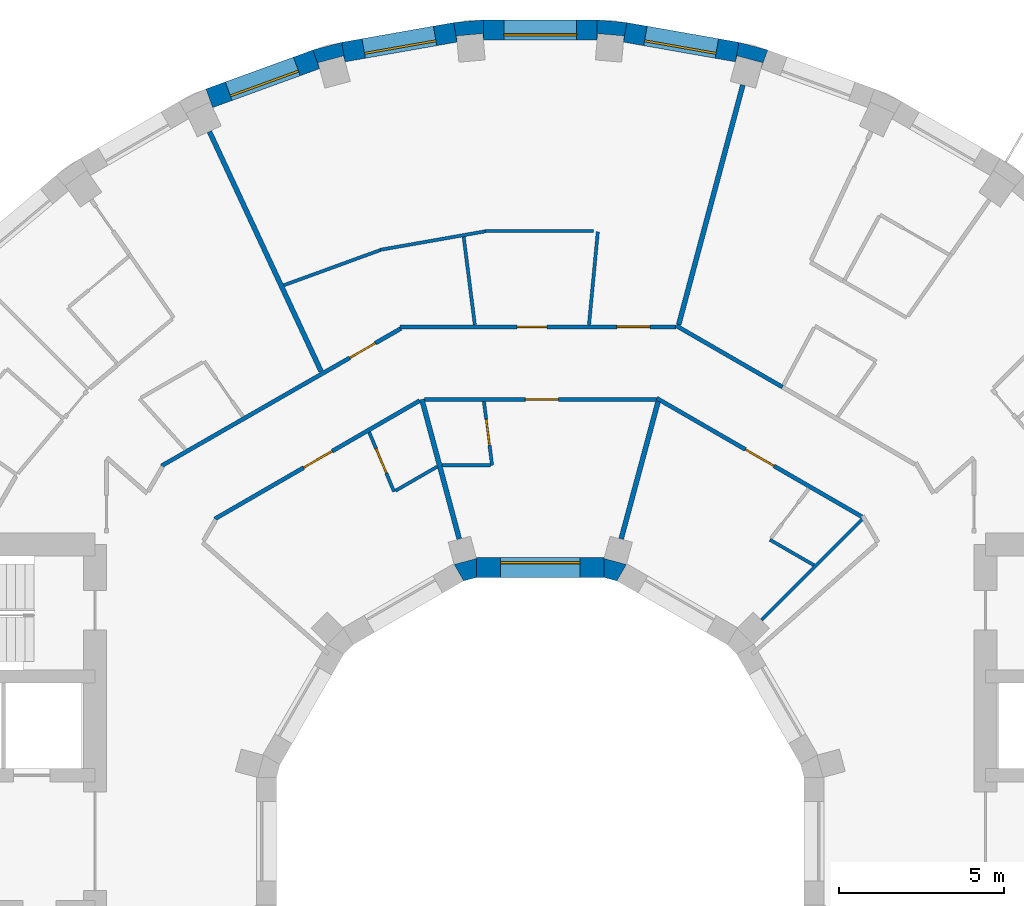
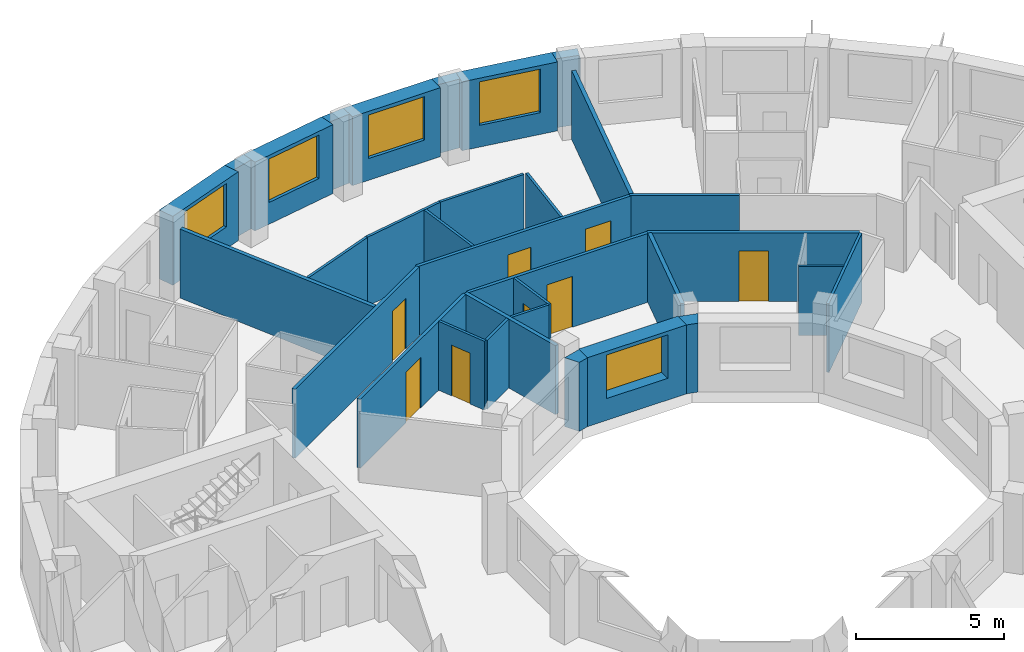
# One storey, part 8 of 11: 32 walls, 8 doors, 5 windows, 13 openings.
"""IFC4 building model written with IfcOpenShell, lengths in metres."""

from ifc_helpers import new_model, si_unit, direction, frame, frame_2d, origin, place, context, subcontext, project, spatial, polyline, rectangle, outline, extrude, material, layer, layer_set, type_object, element, fill, save


model = new_model("IFC4")

# Units and contexts
model_context = context("Model", 3, precision=1e-05, world=origin(), true_north=direction((0.0, 1.0)))
body_context = subcontext(model_context, "Body", "Model", "MODEL_VIEW")
ifc_project = project(units=[si_unit("LENGTHUNIT", "METRE"), si_unit("AREAUNIT", "SQUARE_METRE"), si_unit("VOLUMEUNIT", "CUBIC_METRE"), si_unit("PLANEANGLEUNIT", "RADIAN"), si_unit("MASSUNIT", "GRAM", prefix="KILO")], contexts=[model_context])

# Site, building, storey
site_placement = place(None, origin())
site = spatial("IfcSite", under=ifc_project, at=site_placement, CompositionType="ELEMENT")
building_placement = place(site_placement, origin())
building = spatial("IfcBuilding", under=site, at=building_placement, Name="Saqina Gate Tower", CompositionType="ELEMENT")
storey_placement = place(building_placement, frame((0.0, 0.0, 187.199951171875)))
storey = spatial("IfcBuildingStorey", under=building, at=storey_placement, Name="L53", CompositionType="ELEMENT", Elevation=187.199951171875)

# Walls
ifc_material_1 = material(Name="Brick masonry (buff)", Category="masonry")
wall_type_1 = type_object("IfcWallType", Name="BRICK PIER COPING BUFF", PredefinedType="SOLIDWALL", material=ifc_material_1)
wall_1_placement = place(storey_placement, origin())
element("IfcWall", 1, at=wall_1_placement, inside=storey, type_object=wall_type_1, Name="Pier cap L53 column 8", PredefinedType="SOLIDWALL", context=body_context, shape_type="SweptSolid", body=[
    extrude(outline(polyline([(6.0234375, 24.22705078125), (5.919189453125, 23.635986328125), (5.967529296875, 23.81689453125), (6.740478515625, 23.610107421875), (6.69189453125, 23.428955078125), (6.897216796875, 23.992919921875), (6.0234375, 24.22705078125)])), origin(), (0.0, 0.0, 1.0), 2.85009765625),
])
wall_2_placement = place(storey_placement, origin())
element("IfcWall", 2, at=wall_2_placement, inside=storey, type_object=wall_type_1, Name="Pier cap L53 column 9", PredefinedType="SOLIDWALL", context=body_context, shape_type="SweptSolid", body=[
    extrude(outline(polyline([(2.6259765625, 24.825927734375), (1.724853515625, 24.90478515625), (1.724853515625, 24.304931640625), (1.7412109375, 24.491455078125), (2.5380859375, 24.421630859375), (2.521728515625, 24.235107421875), (2.6259765625, 24.825927734375)])), origin(), (0.0, 0.0, 1.0), 2.85009765625),
])
wall_3_placement = place(storey_placement, origin())
element("IfcWall", 3, at=wall_3_placement, inside=storey, type_object=wall_type_1, Name="Pier cap L53 column 10", PredefinedType="SOLIDWALL", context=body_context, shape_type="SweptSolid", body=[
    extrude(outline(polyline([(-1.724853515625, 24.90478515625), (-2.6259765625, 24.825927734375), (-2.521728515625, 24.235107421875), (-2.5380859375, 24.421630859375), (-1.7412109375, 24.491455078125), (-1.724853515625, 24.304931640625), (-1.724853515625, 24.90478515625)])), origin(), (0.0, 0.0, 1.0), 2.85009765625),
])
wall_4_placement = place(storey_placement, origin())
element("IfcWall", 4, at=wall_4_placement, inside=storey, type_object=wall_type_1, Name="Pier cap L53 column 11", PredefinedType="SOLIDWALL", context=body_context, shape_type="SweptSolid", body=[
    extrude(outline(polyline([(-6.0234375, 24.22705078125), (-6.897216796875, 23.992919921875), (-6.69189453125, 23.428955078125), (-6.740478515625, 23.610107421875), (-5.967529296875, 23.81689453125), (-5.919189453125, 23.635986328125), (-6.0234375, 24.22705078125)])), origin(), (0.0, 0.0, 1.0), 2.85009765625),
])

# Wall, opening, window
ifc_material_2 = material(Name="Brick masonry (buff)", Category="masonry")
ifc_layer_1 = layer(ifc_material_2, 0.60009765625)
ifc_layer_set_1 = layer_set([ifc_layer_1], Name="FW-BRICK-BUFF")
wall_type_2 = type_object("IfcWallType", Name="FW-BRICK-BUFF", PredefinedType="SOLIDWALL", material=ifc_layer_set_1)
wall_5_placement = place(storey_placement, frame((5.97119140625, 23.931640625, 0.0), z_axis=(0.0, 0.0, 1.0), x_axis=(-0.984814892183, 0.173607684551, 0.0)))
wall_5 = element("IfcWall", 5, at=wall_5_placement, inside=storey, type_object=wall_type_2, Name="Facade wall L53 facet 8", PredefinedType="SOLIDWALL", context=body_context, shape_type="SweptSolid", body=[
    extrude(rectangle(XDim=3.44970703125, YDim=0.60009765625, at=frame_2d((1.724853515625, 0.0))), origin(), (0.0, 0.0, 1.0), 2.85009765625),
])
opening_1_placement = place(wall_5_placement, frame((0.625, 0.0, 0.89990234375)))
opening_1 = element("IfcOpeningElement", 6, at=opening_1_placement, cuts=wall_5, Name="Opening G15-W05", PredefinedType="OPENING", context=body_context, shape_type="SweptSolid", body=[
    extrude(rectangle(XDim=2.199951171875, YDim=1.800048828125, at=frame_2d((1.10009765625, 0.89990234375))), frame((0.0, 0.31201171875, 0.0), z_axis=(0.0, -1.0, 0.0), x_axis=(1.0, 0.0, 0.0)), (0.0, 0.0, 1.0), 0.6240234375),
])
ifc_material_3 = material(Name="Aluminium glazing", Category="aluminium")
window_type_1 = type_object("IfcWindowType", Name="WN-C", PartitioningType="SINGLE_PANEL", PredefinedType="WINDOW", material=ifc_material_3)
window_1_placement = place(opening_1_placement, origin())
window_1 = element("IfcWindow", 7, at=window_1_placement, inside=storey, type_object=window_type_1, Name="Window L53 facet 8", OverallHeight=1.800048828125, OverallWidth=2.199951171875, PartitioningType="SINGLE_PANEL", PredefinedType="WINDOW", context=body_context, shape_type="SweptSolid", body=[
    extrude(rectangle(XDim=2.199951171875, YDim=1.800048828125, at=frame_2d((1.10009765625, 0.89990234375))), frame((0.0, 0.179931640625, 0.0), z_axis=(0.0, -1.0, 0.0), x_axis=(1.0, 0.0, 0.0)), (0.0, 0.0, 1.0), 0.06005859375),
])
fill(opening_1, window_1)

wall_6_placement = place(storey_placement, frame((1.724853515625, 24.60498046875, 0.0), z_axis=(0.0, 0.0, 1.0), x_axis=(-1.0, 0.0, 0.0)))
wall_6 = element("IfcWall", 8, at=wall_6_placement, inside=storey, type_object=wall_type_2, Name="Facade wall L53 facet 9", PredefinedType="SOLIDWALL", context=body_context, shape_type="SweptSolid", body=[
    extrude(rectangle(XDim=3.44970703125, YDim=0.60009765625, at=frame_2d((1.724853515625, 0.0))), origin(), (0.0, 0.0, 1.0), 2.85009765625),
])
opening_2_placement = place(wall_6_placement, frame((0.625, 0.0, 0.89990234375)))
opening_2 = element("IfcOpeningElement", 9, at=opening_2_placement, cuts=wall_6, Name="Opening G15-W06", PredefinedType="OPENING", context=body_context, shape_type="SweptSolid", body=[
    extrude(rectangle(XDim=2.199951171875, YDim=1.800048828125, at=frame_2d((1.10009765625, 0.89990234375))), frame((0.0, 0.31201171875, 0.0), z_axis=(0.0, -1.0, 0.0), x_axis=(1.0, 0.0, 0.0)), (0.0, 0.0, 1.0), 0.6240234375),
])
window_2_placement = place(opening_2_placement, origin())
window_2 = element("IfcWindow", 10, at=window_2_placement, inside=storey, type_object=window_type_1, Name="Window L53 facet 9", OverallHeight=1.800048828125, OverallWidth=2.199951171875, PartitioningType="SINGLE_PANEL", PredefinedType="WINDOW", context=body_context, shape_type="SweptSolid", body=[
    extrude(rectangle(XDim=2.199951171875, YDim=1.800048828125, at=frame_2d((1.10009765625, 0.89990234375))), frame((0.0, 0.179931640625, 0.0), z_axis=(0.0, -1.0, 0.0), x_axis=(1.0, 0.0, 0.0)), (0.0, 0.0, 1.0), 0.06005859375),
])
fill(opening_2, window_2)

wall_7_placement = place(storey_placement, frame((-2.573974609375, 24.530517578125, 0.0), z_axis=(0.0, 0.0, 1.0), x_axis=(-0.984814892183, -0.173607684551, 0.0)))
wall_7 = element("IfcWall", 11, at=wall_7_placement, inside=storey, type_object=wall_type_2, Name="Facade wall L53 facet 10", PredefinedType="SOLIDWALL", context=body_context, shape_type="SweptSolid", body=[
    extrude(rectangle(XDim=3.44970703125, YDim=0.60009765625, at=frame_2d((1.724853515625, 0.0))), origin(), (0.0, 0.0, 1.0), 2.85009765625),
])
opening_3_placement = place(wall_7_placement, frame((0.625, 0.0, 0.89990234375)))
opening_3 = element("IfcOpeningElement", 12, at=opening_3_placement, cuts=wall_7, Name="Opening G15-W07", PredefinedType="OPENING", context=body_context, shape_type="SweptSolid", body=[
    extrude(rectangle(XDim=2.199951171875, YDim=1.800048828125, at=frame_2d((1.10009765625, 0.89990234375))), frame((0.0, 0.31201171875, 0.0), z_axis=(0.0, -1.0, 0.0), x_axis=(1.0, 0.0, 0.0)), (0.0, 0.0, 1.0), 0.6240234375),
])
window_3_placement = place(opening_3_placement, origin())
window_3 = element("IfcWindow", 13, at=window_3_placement, inside=storey, type_object=window_type_1, Name="Window L53 facet 10", OverallHeight=1.800048828125, OverallWidth=2.199951171875, PartitioningType="SINGLE_PANEL", PredefinedType="WINDOW", context=body_context, shape_type="SweptSolid", body=[
    extrude(rectangle(XDim=2.199951171875, YDim=1.800048828125, at=frame_2d((1.10009765625, 0.89990234375))), frame((0.0, 0.179931640625, 0.0), z_axis=(0.0, -1.0, 0.0), x_axis=(1.0, 0.0, 0.0)), (0.0, 0.0, 1.0), 0.06005859375),
])
fill(opening_3, window_3)

wall_8_placement = place(storey_placement, frame((-6.79443359375, 23.7109375, 0.0), z_axis=(0.0, 0.0, 1.0), x_axis=(-0.93968799822, -0.342032843455, 0.0)))
wall_8 = element("IfcWall", 14, at=wall_8_placement, inside=storey, type_object=wall_type_2, Name="Facade wall L53 facet 11", PredefinedType="SOLIDWALL", context=body_context, shape_type="SweptSolid", body=[
    extrude(rectangle(XDim=3.44970703125, YDim=0.60009765625, at=frame_2d((1.724853515625, 0.0))), origin(), (0.0, 0.0, 1.0), 2.85009765625),
])
opening_4_placement = place(wall_8_placement, frame((0.625, 0.0, 0.89990234375)))
opening_4 = element("IfcOpeningElement", 15, at=opening_4_placement, cuts=wall_8, Name="Opening G15-W08", PredefinedType="OPENING", context=body_context, shape_type="SweptSolid", body=[
    extrude(rectangle(XDim=2.199951171875, YDim=1.800048828125, at=frame_2d((1.10009765625, 0.89990234375))), frame((0.0, 0.31201171875, 0.0), z_axis=(0.0, -1.0, 0.0), x_axis=(1.0, 0.0, 0.0)), (0.0, 0.0, 1.0), 0.6240234375),
])
window_4_placement = place(opening_4_placement, origin())
window_4 = element("IfcWindow", 16, at=window_4_placement, inside=storey, type_object=window_type_1, Name="Window L53 facet 11", OverallHeight=1.800048828125, OverallWidth=2.199951171875, PartitioningType="SINGLE_PANEL", PredefinedType="WINDOW", context=body_context, shape_type="SweptSolid", body=[
    extrude(rectangle(XDim=2.199951171875, YDim=1.800048828125, at=frame_2d((1.10009765625, 0.89990234375))), frame((0.0, 0.179931640625, 0.0), z_axis=(0.0, -1.0, 0.0), x_axis=(1.0, 0.0, 0.0)), (0.0, 0.0, 1.0), 0.06005859375),
])
fill(opening_4, window_4)

ifc_material_4 = material(Name="Glazed ceramic tile", Category="ceramic")
ifc_layer_2 = layer(ifc_material_4, 0.60009765625)
ifc_layer_set_2 = layer_set([ifc_layer_2], Name="IW-TILE")
wall_type_3 = type_object("IfcWallType", Name="IW-TILE", PredefinedType="SOLIDWALL", material=ifc_layer_set_2)
wall_9_placement = place(storey_placement, frame((1.934814453125, 8.300048828125, 0.0), z_axis=(0.0, 0.0, 1.0), x_axis=(-1.0, 0.0, 0.0)))
wall_9 = element("IfcWall", 17, at=wall_9_placement, inside=storey, type_object=wall_type_3, Name="Well wall L53 facet 3", PredefinedType="SOLIDWALL", context=body_context, shape_type="SweptSolid", body=[
    extrude(rectangle(XDim=3.86962890625, YDim=0.60009765625, at=frame_2d((1.934814453125, 0.0))), origin(), (0.0, 0.0, 1.0), 2.85009765625),
])
opening_5_placement = place(wall_9_placement, frame((0.73486328125, 0.0, 0.89990234375)))
opening_5 = element("IfcOpeningElement", 18, at=opening_5_placement, cuts=wall_9, Name="Opening G15-W28", PredefinedType="OPENING", context=body_context, shape_type="SweptSolid", body=[
    extrude(rectangle(XDim=2.39990234375, YDim=1.800048828125, at=frame_2d((1.199951171875, 0.89990234375))), frame((0.0, 0.31201171875, 0.0), z_axis=(0.0, -1.0, 0.0), x_axis=(1.0, 0.0, 0.0)), (0.0, 0.0, 1.0), 0.6240234375),
])
ifc_material_5 = material(Name="Aluminium glazing", Category="aluminium")
window_type_2 = type_object("IfcWindowType", Name="WN-W", PartitioningType="SINGLE_PANEL", PredefinedType="WINDOW", material=ifc_material_5)
window_5_placement = place(opening_5_placement, origin())
window_5 = element("IfcWindow", 19, at=window_5_placement, inside=storey, type_object=window_type_2, Name="Well window L53 facet 3", OverallHeight=1.800048828125, OverallWidth=2.39990234375, PartitioningType="SINGLE_PANEL", PredefinedType="WINDOW", context=body_context, shape_type="SweptSolid", body=[
    extrude(rectangle(XDim=2.39990234375, YDim=1.800048828125, at=frame_2d((1.199951171875, 0.89990234375))), frame((0.0, -0.119873046875, 0.0), z_axis=(0.0, -1.0, 0.0), x_axis=(1.0, 0.0, 0.0)), (0.0, 0.0, 1.0), 0.06005859375),
])
fill(opening_5, window_5)

# Wall
ifc_material_6 = material(Name="Gypsum board on steel studs, 100 mm", Category="steel")
ifc_layer_3 = layer(ifc_material_6, 0.10009765625)
ifc_layer_set_3 = layer_set([ifc_layer_3], Name="PARTITION 100")
wall_type_4 = type_object("IfcWallType", Name="PARTITION 100", PredefinedType="PARTITIONING", material=ifc_layer_set_3)
wall_10_placement = place(storey_placement, frame((-2.32275390625, 18.330322265625, 0.0), z_axis=(0.0, 0.0, 1.0), x_axis=(0.125632208846, -0.992076886184, 0.0)))
element("IfcWall", 20, at=wall_10_placement, inside=storey, type_object=wall_type_4, Name="PARTITION PW3-02", PredefinedType="PARTITIONING", context=body_context, shape_type="SweptSolid", body=[
    extrude(rectangle(XDim=2.689453125, YDim=0.10009765625, at=frame_2d((1.3447265625, 0.0))), origin(), (0.0, 0.0, 1.0), 2.85009765625),
])

# Wall, opening, door
wall_11_placement = place(storey_placement, frame((-1.708984375, 13.337890625, 0.0), z_axis=(0.0, 0.0, 1.0), x_axis=(0.126956267131, -0.991908315439, 0.0)))
wall_11 = element("IfcWall", 21, at=wall_11_placement, inside=storey, type_object=wall_type_4, Name="PARTITION PW3-03", PredefinedType="PARTITIONING", context=body_context, shape_type="SweptSolid", body=[
    extrude(rectangle(XDim=1.953857421875, YDim=0.10009765625, at=frame_2d((0.97705078125, 0.0))), origin(), (0.0, 0.0, 1.0), 2.85009765625),
])
opening_6_placement = place(wall_11_placement, frame((0.545654296875, 0.0, 0.0)))
opening_6 = element("IfcOpeningElement", 22, at=opening_6_placement, cuts=wall_11, Name="Opening G15-D12", PredefinedType="OPENING", context=body_context, shape_type="SweptSolid", body=[
    extrude(rectangle(XDim=0.800048828125, YDim=2.10009765625, at=frame_2d((0.39990234375, 1.050048828125))), frame((0.0, 0.06201171875, 0.0), z_axis=(0.0, -1.0, 0.0), x_axis=(1.0, 0.0, 0.0)), (0.0, 0.0, 1.0), 0.1240234375),
])
ifc_material_7 = material(Name="Timber door leaf, 800 mm", Category="wood")
door_type_1 = type_object("IfcDoorType", Name="DOOR 800 TIMBER", OperationType="SINGLE_SWING_LEFT", PredefinedType="DOOR", material=ifc_material_7)
door_1_placement = place(opening_6_placement, origin())
door_1 = element("IfcDoor", 23, at=door_1_placement, inside=storey, type_object=door_type_1, Name="DOOR G15-D12", OperationType="SINGLE_SWING_LEFT", OverallHeight=2.10009765625, OverallWidth=0.800048828125, PredefinedType="DOOR", context=body_context, shape_type="SweptSolid", body=[
    extrude(rectangle(XDim=0.800048828125, YDim=2.10009765625, at=frame_2d((0.39990234375, 1.050048828125))), frame((0.0, 0.02490234375, 0.0), z_axis=(0.0, -1.0, 0.0), x_axis=(1.0, 0.0, 0.0)), (0.0, 0.0, 1.0), 0.050048828125),
])
fill(opening_6, door_1)

wall_12_placement = place(storey_placement, frame((-5.18896484375, 12.4052734375, 0.0), z_axis=(0.0, 0.0, 1.0), x_axis=(0.385910563531, -0.922536198182, 0.0)))
wall_12 = element("IfcWall", 24, at=wall_12_placement, inside=storey, type_object=wall_type_4, Name="PARTITION PW3-05", PredefinedType="PARTITIONING", context=body_context, shape_type="SweptSolid", body=[
    extrude(rectangle(XDim=1.95361328125, YDim=0.10009765625, at=frame_2d((0.976806640625, 0.0))), origin(), (0.0, 0.0, 1.0), 2.85009765625),
])
opening_7_placement = place(wall_12_placement, frame((0.545654296875, 0.0, 0.0)))
opening_7 = element("IfcOpeningElement", 25, at=opening_7_placement, cuts=wall_12, Name="Opening G15-D14", PredefinedType="OPENING", context=body_context, shape_type="SweptSolid", body=[
    extrude(rectangle(XDim=0.800048828125, YDim=2.10009765625, at=frame_2d((0.39990234375, 1.050048828125))), frame((0.0, 0.06201171875, 0.0), z_axis=(0.0, -1.0, 0.0), x_axis=(1.0, 0.0, 0.0)), (0.0, 0.0, 1.0), 0.1240234375),
])
door_2_placement = place(opening_7_placement, frame((0.800048828125, 0.0, 0.0), z_axis=(0.0, 0.0, 1.0), x_axis=(-1.0, 0.0, 0.0)))
door_2 = element("IfcDoor", 26, at=door_2_placement, inside=storey, type_object=door_type_1, Name="DOOR G15-D14", OperationType="SINGLE_SWING_RIGHT", OverallHeight=2.10009765625, OverallWidth=0.800048828125, PredefinedType="DOOR", context=body_context, shape_type="SweptSolid", body=[
    extrude(rectangle(XDim=0.800048828125, YDim=2.10009765625, at=frame_2d((0.39990234375, 1.050048828125))), frame((0.0, 0.02490234375, 0.0), z_axis=(0.0, -1.0, 0.0), x_axis=(1.0, 0.0, 0.0)), (0.0, 0.0, 1.0), 0.050048828125),
])
fill(opening_7, door_2)

# Walls
wall_13_placement = place(storey_placement, frame((6.965087890625, 9.14208984375, 0.0), z_axis=(0.0, 0.0, 1.0), x_axis=(0.865956409518, -0.500119482538, 0.0)))
element("IfcWall", 27, at=wall_13_placement, inside=storey, type_object=wall_type_4, Name="PARTITION PW3-24", PredefinedType="PARTITIONING", context=body_context, shape_type="SweptSolid", body=[
    extrude(rectangle(XDim=1.54345703125, YDim=0.10009765625, at=frame_2d((0.771728515625, 0.0))), origin(), (0.0, 0.0, 1.0), 2.85009765625),
])
wall_14_placement = place(storey_placement, frame((-2.97998046875, 11.39990234375, 0.0), z_axis=(0.0, 0.0, 1.0), x_axis=(1.0, 0.0, 0.0)))
element("IfcWall", 28, at=wall_14_placement, inside=storey, type_object=wall_type_4, Name="PARTITION PW3-33", PredefinedType="PARTITIONING", context=body_context, shape_type="SweptSolid", body=[
    extrude(rectangle(XDim=1.468994140625, YDim=0.10009765625, at=frame_2d((0.734375, 0.0))), origin(), (0.0, 0.0, 1.0), 2.85009765625),
])
wall_15_placement = place(storey_placement, frame((-1.669677734375, 18.5048828125, 0.0), z_axis=(0.0, 0.0, 1.0), x_axis=(1.0, 0.0, 0.0)))
element("IfcWall", 29, at=wall_15_placement, inside=storey, type_object=wall_type_4, Name="PARTITION PW3-34", PredefinedType="PARTITIONING", context=body_context, shape_type="SweptSolid", body=[
    extrude(rectangle(XDim=3.28857421875, YDim=0.10009765625, at=frame_2d((1.644287109375, 0.0))), origin(), (0.0, 0.0, 1.0), 2.85009765625),
])
wall_16_placement = place(storey_placement, frame((-4.85791015625, 17.93408203125, 0.0), z_axis=(0.0, 0.0, 1.0), x_axis=(0.984816929669, 0.173596126217, 0.0)))
element("IfcWall", 30, at=wall_16_placement, inside=storey, type_object=wall_type_4, Name="PARTITION PW3-35", PredefinedType="PARTITIONING", context=body_context, shape_type="SweptSolid", body=[
    extrude(rectangle(XDim=3.23876953125, YDim=0.10009765625, at=frame_2d((1.619384765625, 0.0))), origin(), (0.0, 0.0, 1.0), 2.85009765625),
])
wall_17_placement = place(storey_placement, frame((-7.779541015625, 16.860595703125, 0.0), z_axis=(0.0, 0.0, 1.0), x_axis=(0.939616954474, 0.3422279633, 0.0)))
element("IfcWall", 31, at=wall_17_placement, inside=storey, type_object=wall_type_4, Name="PARTITION PW3-37", PredefinedType="PARTITIONING", context=body_context, shape_type="SweptSolid", body=[
    extrude(rectangle(XDim=3.112548828125, YDim=0.10009765625, at=frame_2d((1.55615234375, 0.0))), origin(), (0.0, 0.0, 1.0), 2.85009765625),
])
wall_18_placement = place(storey_placement, frame((-4.3916015625, 10.6279296875, 0.0), z_axis=(0.0, 0.0, 1.0), x_axis=(0.865911474639, 0.500197279169, 0.0)))
element("IfcWall", 32, at=wall_18_placement, inside=storey, type_object=wall_type_4, Name="PARTITION PW3-41", PredefinedType="PARTITIONING", context=body_context, shape_type="SweptSolid", body=[
    extrude(rectangle(XDim=1.46875, YDim=0.10009765625, at=frame_2d((0.734375, 0.0))), origin(), (0.0, 0.0, 1.0), 2.85009765625),
])
wall_19_placement = place(storey_placement, frame((6.7119140625, 6.7119140625, 0.0), z_axis=(0.0, 0.0, 1.0), x_axis=(0.707106781187, 0.707106781187, 0.0)))
element("IfcWall", 33, at=wall_19_placement, inside=storey, type_object=wall_type_4, Name="PARTITION PW3-50", PredefinedType="PARTITIONING", context=body_context, shape_type="SweptSolid", body=[
    extrude(rectangle(XDim=4.317626953125, YDim=0.10009765625, at=frame_2d((2.15869140625, 0.0))), origin(), (0.0, 0.0, 1.0), 2.85009765625),
])
wall_20_placement = place(storey_placement, frame((1.477783203125, 15.662109375, 0.0), z_axis=(0.0, 0.0, 1.0), x_axis=(0.094349605613, 0.995539126263, 0.0)))
element("IfcWall", 34, at=wall_20_placement, inside=storey, type_object=wall_type_4, Name="PARTITION PW3-62", PredefinedType="PARTITIONING", context=body_context, shape_type="SweptSolid", body=[
    extrude(rectangle(XDim=2.83349609375, YDim=0.10009765625, at=frame_2d((1.416748046875, 0.0))), origin(), (0.0, 0.0, 1.0), 2.85009765625),
])

# Wall, opening, door
ifc_material_8 = material(Name="Gypsum board on steel studs, 125 mm, fire rated", Category="steel")
ifc_layer_4 = layer(ifc_material_8, 0.125)
ifc_layer_set_4 = layer_set([ifc_layer_4], Name="PARTITION EI 30 125")
wall_type_5 = type_object("IfcWallType", Name="PARTITION EI 30 125", PredefinedType="PARTITIONING", material=ifc_layer_set_4)
wall_21_placement = place(storey_placement, frame((3.528564453125, 13.43603515625, 0.0), z_axis=(0.0, 0.0, 1.0), x_axis=(0.865968995572, -0.500097689165, 0.0)))
wall_21 = element("IfcWall", 35, at=wall_21_placement, inside=storey, type_object=wall_type_5, Name="PARTITION PW1-16", PredefinedType="PARTITIONING", context=body_context, shape_type="SweptSolid", body=[
    extrude(rectangle(XDim=7.18994140625, YDim=0.125, at=frame_2d((3.594970703125, 0.0))), origin(), (0.0, 0.0, 1.0), 2.85009765625),
])
opening_8_placement = place(wall_21_placement, frame((3.111572265625, 0.0, 0.0)))
opening_8 = element("IfcOpeningElement", 36, at=opening_8_placement, cuts=wall_21, Name="Opening G15-D07", PredefinedType="OPENING", context=body_context, shape_type="SweptSolid", body=[
    extrude(rectangle(XDim=1.0, YDim=2.10009765625, at=frame_2d((0.5, 1.050048828125))), frame((0.0, 0.074462890625, 0.0), z_axis=(0.0, -1.0, 0.0), x_axis=(1.0, 0.0, 0.0)), (0.0, 0.0, 1.0), 0.14892578125),
])
ifc_material_9 = material(Name="Fire door leaf EI 30, 1000 mm")
door_type_2 = type_object("IfcDoorType", Name="DOOR 1000 EI 30", OperationType="SINGLE_SWING_LEFT", PredefinedType="DOOR", material=ifc_material_9)
door_3_placement = place(opening_8_placement, frame((1.0, 0.0, 0.0), z_axis=(0.0, 0.0, 1.0), x_axis=(-1.0, 0.0, 0.0)))
door_3 = element("IfcDoor", 37, at=door_3_placement, inside=storey, type_object=door_type_2, Name="DOOR G15-D07", OperationType="SINGLE_SWING_LEFT", OverallHeight=2.10009765625, OverallWidth=1.0, PredefinedType="DOOR", context=body_context, shape_type="SweptSolid", body=[
    extrude(rectangle(XDim=1.0, YDim=2.10009765625, at=frame_2d((0.5, 1.050048828125))), frame((0.0, 0.02490234375, 0.0), z_axis=(0.0, -1.0, 0.0), x_axis=(1.0, 0.0, 0.0)), (0.0, 0.0, 1.0), 0.050048828125),
])
fill(opening_8, door_3)

# Wall
wall_22_placement = place(storey_placement, frame((4.117431640625, 15.635986328125, 0.0), z_axis=(0.0, 0.0, 1.0), x_axis=(0.866036031404, -0.49998159197, 0.0)))
element("IfcWall", 38, at=wall_22_placement, inside=storey, type_object=wall_type_5, Name="PARTITION PW1-17", PredefinedType="PARTITIONING", context=body_context, shape_type="SweptSolid", body=[
    extrude(rectangle(XDim=3.724365234375, YDim=0.125, at=frame_2d((1.8623046875, 0.0))), origin(), (0.0, 0.0, 1.0), 2.85009765625),
])

# Wall, opening, door
wall_23_placement = place(storey_placement, frame((-3.51611328125, 13.39990234375, 0.0), z_axis=(0.0, 0.0, 1.0), x_axis=(1.0, 0.0, 0.0)))
wall_23 = element("IfcWall", 39, at=wall_23_placement, inside=storey, type_object=wall_type_5, Name="PARTITION PW1-21", PredefinedType="PARTITIONING", context=body_context, shape_type="SweptSolid", body=[
    extrude(rectangle(XDim=7.044677734375, YDim=0.125, at=frame_2d((3.5224609375, 0.0))), origin(), (0.0, 0.0, 1.0), 2.85009765625),
])
opening_9_placement = place(wall_23_placement, frame((3.06689453125, 0.0, 0.0)))
opening_9 = element("IfcOpeningElement", 40, at=opening_9_placement, cuts=wall_23, Name="Opening G15-D10", PredefinedType="OPENING", context=body_context, shape_type="SweptSolid", body=[
    extrude(rectangle(XDim=1.0, YDim=2.10009765625, at=frame_2d((0.5, 1.050048828125))), frame((0.0, 0.074462890625, 0.0), z_axis=(0.0, -1.0, 0.0), x_axis=(1.0, 0.0, 0.0)), (0.0, 0.0, 1.0), 0.14892578125),
])
door_4_placement = place(opening_9_placement, frame((1.0, 0.0, 0.0), z_axis=(0.0, 0.0, 1.0), x_axis=(-1.0, 0.0, 0.0)))
door_4 = element("IfcDoor", 41, at=door_4_placement, inside=storey, type_object=door_type_2, Name="DOOR G15-D10", OperationType="SINGLE_SWING_LEFT", OverallHeight=2.10009765625, OverallWidth=1.0, PredefinedType="DOOR", context=body_context, shape_type="SweptSolid", body=[
    extrude(rectangle(XDim=1.0, YDim=2.10009765625, at=frame_2d((0.5, 1.050048828125))), frame((0.0, 0.02490234375, 0.0), z_axis=(0.0, -1.0, 0.0), x_axis=(1.0, 0.0, 0.0)), (0.0, 0.0, 1.0), 0.050048828125),
])
fill(opening_9, door_4)

# Wall, openings, doors
wall_24_placement = place(storey_placement, frame((-4.251953125, 15.60009765625, 0.0), z_axis=(0.0, 0.0, 1.0), x_axis=(1.0, 0.0, 0.0)))
wall_24 = element("IfcWall", 42, at=wall_24_placement, inside=storey, type_object=wall_type_5, Name="PARTITION PW1-22", PredefinedType="PARTITIONING", context=body_context, shape_type="SweptSolid", body=[
    extrude(rectangle(XDim=8.369384765625, YDim=0.125, at=frame_2d((4.1845703125, 0.0))), origin(), (0.0, 0.0, 1.0), 2.85009765625),
])
opening_10_placement = place(wall_24_placement, frame((6.578125, 0.0, 0.0)))
opening_10 = element("IfcOpeningElement", 43, at=opening_10_placement, cuts=wall_24, Name="Opening G15-D09", PredefinedType="OPENING", context=body_context, shape_type="SweptSolid", body=[
    extrude(rectangle(XDim=1.0, YDim=2.10009765625, at=frame_2d((0.5, 1.050048828125))), frame((0.0, 0.074462890625, 0.0), z_axis=(0.0, -1.0, 0.0), x_axis=(1.0, 0.0, 0.0)), (0.0, 0.0, 1.0), 0.14892578125),
])
opening_11_placement = place(wall_24_placement, frame((3.549560546875, 0.0, 0.0)))
opening_11 = element("IfcOpeningElement", 44, at=opening_11_placement, cuts=wall_24, Name="Opening G15-D11", PredefinedType="OPENING", context=body_context, shape_type="SweptSolid", body=[
    extrude(rectangle(XDim=0.89990234375, YDim=2.10009765625, at=frame_2d((0.449951171875, 1.050048828125))), frame((0.0, 0.074462890625, 0.0), z_axis=(0.0, -1.0, 0.0), x_axis=(1.0, 0.0, 0.0)), (0.0, 0.0, 1.0), 0.14892578125),
])
door_5_placement = place(opening_10_placement, frame((1.0, 0.0, 0.0), z_axis=(0.0, 0.0, 1.0), x_axis=(-1.0, 0.0, 0.0)))
door_5 = element("IfcDoor", 45, at=door_5_placement, inside=storey, type_object=door_type_2, Name="DOOR G15-D09", OperationType="SINGLE_SWING_LEFT", OverallHeight=2.10009765625, OverallWidth=1.0, PredefinedType="DOOR", context=body_context, shape_type="SweptSolid", body=[
    extrude(rectangle(XDim=1.0, YDim=2.10009765625, at=frame_2d((0.5, 1.050048828125))), frame((0.0, 0.02490234375, 0.0), z_axis=(0.0, -1.0, 0.0), x_axis=(1.0, 0.0, 0.0)), (0.0, 0.0, 1.0), 0.050048828125),
])
fill(opening_10, door_5)
ifc_material_10 = material(Name="Fire door leaf EI 30, 900 mm")
door_type_3 = type_object("IfcDoorType", Name="DOOR 900 EI 30", OperationType="SINGLE_SWING_LEFT", PredefinedType="DOOR", material=ifc_material_10)
door_6_placement = place(opening_11_placement, origin())
door_6 = element("IfcDoor", 46, at=door_6_placement, inside=storey, type_object=door_type_3, Name="DOOR G15-D11", OperationType="SINGLE_SWING_LEFT", OverallHeight=2.10009765625, OverallWidth=0.89990234375, PredefinedType="DOOR", context=body_context, shape_type="SweptSolid", body=[
    extrude(rectangle(XDim=0.89990234375, YDim=2.10009765625, at=frame_2d((0.449951171875, 1.050048828125))), frame((0.0, 0.02490234375, 0.0), z_axis=(0.0, -1.0, 0.0), x_axis=(1.0, 0.0, 0.0)), (0.0, 0.0, 1.0), 0.050048828125),
])
fill(opening_11, door_6)

# Wall, opening, door
wall_25_placement = place(storey_placement, frame((-11.48388671875, 11.384765625, 0.0), z_axis=(0.0, 0.0, 1.0), x_axis=(0.867331679026, 0.49773060842, 0.0)))
wall_25 = element("IfcWall", 47, at=wall_25_placement, inside=storey, type_object=wall_type_5, Name="PARTITION PW1-23", PredefinedType="PARTITIONING", context=body_context, shape_type="SweptSolid", body=[
    extrude(rectangle(XDim=8.37060546875, YDim=0.125, at=frame_2d((4.185302734375, 0.0))), origin(), (0.0, 0.0, 1.0), 2.85009765625),
])
opening_12_placement = place(wall_25_placement, frame((6.5751953125, 0.0, 0.0)))
opening_12 = element("IfcOpeningElement", 48, at=opening_12_placement, cuts=wall_25, Name="Opening G15-D13", PredefinedType="OPENING", context=body_context, shape_type="SweptSolid", body=[
    extrude(rectangle(XDim=0.89990234375, YDim=2.10009765625, at=frame_2d((0.449951171875, 1.050048828125))), frame((0.0, 0.074462890625, 0.0), z_axis=(0.0, -1.0, 0.0), x_axis=(1.0, 0.0, 0.0)), (0.0, 0.0, 1.0), 0.14892578125),
])
door_7_placement = place(opening_12_placement, origin())
door_7 = element("IfcDoor", 49, at=door_7_placement, inside=storey, type_object=door_type_3, Name="DOOR G15-D13", OperationType="SINGLE_SWING_RIGHT", OverallHeight=2.10009765625, OverallWidth=0.89990234375, PredefinedType="DOOR", context=body_context, shape_type="SweptSolid", body=[
    extrude(rectangle(XDim=0.89990234375, YDim=2.10009765625, at=frame_2d((0.449951171875, 1.050048828125))), frame((0.0, 0.02490234375, 0.0), z_axis=(0.0, -1.0, 0.0), x_axis=(1.0, 0.0, 0.0)), (0.0, 0.0, 1.0), 0.050048828125),
])
fill(opening_12, door_7)

wall_26_placement = place(storey_placement, frame((-9.871337890625, 9.77294921875, 0.0), z_axis=(0.0, 0.0, 1.0), x_axis=(0.865954448031, 0.500122878836, 0.0)))
wall_26 = element("IfcWall", 50, at=wall_26_placement, inside=storey, type_object=wall_type_5, Name="PARTITION PW1-26", PredefinedType="PARTITIONING", context=body_context, shape_type="SweptSolid", body=[
    extrude(rectangle(XDim=7.177490234375, YDim=0.125, at=frame_2d((3.5888671875, 0.0))), origin(), (0.0, 0.0, 1.0), 2.85009765625),
])
opening_13_placement = place(wall_26_placement, frame((3.111572265625, 0.0, 0.0)))
opening_13 = element("IfcOpeningElement", 51, at=opening_13_placement, cuts=wall_26, Name="Opening G15-D15", PredefinedType="OPENING", context=body_context, shape_type="SweptSolid", body=[
    extrude(rectangle(XDim=1.0, YDim=2.10009765625, at=frame_2d((0.5, 1.050048828125))), frame((0.0, 0.074462890625, 0.0), z_axis=(0.0, -1.0, 0.0), x_axis=(1.0, 0.0, 0.0)), (0.0, 0.0, 1.0), 0.14892578125),
])
door_8_placement = place(opening_13_placement, frame((1.0, 0.0, 0.0), z_axis=(0.0, 0.0, 1.0), x_axis=(-1.0, 0.0, 0.0)))
door_8 = element("IfcDoor", 52, at=door_8_placement, inside=storey, type_object=door_type_2, Name="DOOR G15-D15", OperationType="SINGLE_SWING_LEFT", OverallHeight=2.10009765625, OverallWidth=1.0, PredefinedType="DOOR", context=body_context, shape_type="SweptSolid", body=[
    extrude(rectangle(XDim=1.0, YDim=2.10009765625, at=frame_2d((0.5, 1.050048828125))), frame((0.0, 0.02490234375, 0.0), z_axis=(0.0, -1.0, 0.0), x_axis=(1.0, 0.0, 0.0)), (0.0, 0.0, 1.0), 0.050048828125),
])
fill(opening_13, door_8)

# Walls
ifc_material_11 = material(Name="Gypsum board on steel studs, 150 mm, fire rated", Category="steel")
ifc_layer_5 = layer(ifc_material_11, 0.14990234375)
ifc_layer_set_5 = layer_set([ifc_layer_5], Name="PARTITION EI 60 150")
wall_type_6 = type_object("IfcWallType", Name="PARTITION EI 60 150", PredefinedType="PARTITIONING", material=ifc_layer_set_5)
wall_27_placement = place(storey_placement, frame((-3.591064453125, 13.39990234375, 0.0), z_axis=(0.0, 0.0, 1.0), x_axis=(0.25888001656, -0.965909486974, 0.0)))
element("IfcWall", 53, at=wall_27_placement, inside=storey, type_object=wall_type_6, Name="PARTITION PW2-02", PredefinedType="PARTITIONING", context=body_context, shape_type="SweptSolid", body=[
    extrude(rectangle(XDim=4.380615234375, YDim=0.14990234375, at=frame_2d((2.1904296875, 0.0))), origin(), (0.0, 0.0, 1.0), 2.85009765625),
])
wall_28_placement = place(storey_placement, frame((-10.03125, 21.5166015625, 0.0), z_axis=(0.0, 0.0, 1.0), x_axis=(0.422305280768, -0.906453666679, 0.0)))
element("IfcWall", 54, at=wall_28_placement, inside=storey, type_object=wall_type_6, Name="PARTITION PW2-03", PredefinedType="PARTITIONING", context=body_context, shape_type="SweptSolid", body=[
    extrude(rectangle(XDim=8.017822265625, YDim=0.14990234375, at=frame_2d((4.0087890625, 0.0))), origin(), (0.0, 0.0, 1.0), 2.85009765625),
])
wall_29_placement = place(storey_placement, frame((2.45361328125, 9.169677734375, 0.0), z_axis=(0.0, 0.0, 1.0), x_axis=(0.259632812034, 0.965707410614, 0.0)))
element("IfcWall", 55, at=wall_29_placement, inside=storey, type_object=wall_type_6, Name="PARTITION PW2-05", PredefinedType="PARTITIONING", context=body_context, shape_type="SweptSolid", body=[
    extrude(rectangle(XDim=4.318115234375, YDim=0.14990234375, at=frame_2d((2.1591796875, 0.0))), origin(), (0.0, 0.0, 1.0), 2.85009765625),
])
wall_30_placement = place(storey_placement, frame((4.197509765625, 15.6630859375, 0.0), z_axis=(0.0, 0.0, 1.0), x_axis=(0.258633906583, 0.96597541499, 0.0)))
element("IfcWall", 56, at=wall_30_placement, inside=storey, type_object=wall_type_6, Name="PARTITION PW2-07", PredefinedType="PARTITIONING", context=body_context, shape_type="SweptSolid", body=[
    extrude(rectangle(XDim=7.5244140625, YDim=0.14990234375, at=frame_2d((3.76220703125, 0.0))), origin(), (0.0, 0.0, 1.0), 2.85009765625),
])
ifc_material_12 = material(Name="Glazed ceramic tile", Category="ceramic")
wall_type_7 = type_object("IfcWallType", Name="TILE PIER COPING", PredefinedType="SOLIDWALL", material=ifc_material_12)
wall_31_placement = place(storey_placement, origin())
element("IfcWall", 57, at=wall_31_placement, inside=storey, type_object=wall_type_7, Name="Well pier cap L53 column 3", PredefinedType="SOLIDWALL", context=body_context, shape_type="SweptSolid", body=[
    extrude(outline(polyline([(1.934814453125, 8.573486328125), (1.934814453125, 8.0), (2.32421875, 7.895751953125), (2.611083984375, 8.392333984375), (1.934814453125, 8.573486328125)])), origin(), (0.0, 0.0, 1.0), 2.85009765625),
])
wall_32_placement = place(storey_placement, origin())
element("IfcWall", 58, at=wall_32_placement, inside=storey, type_object=wall_type_7, Name="Well pier cap L53 column 4", PredefinedType="SOLIDWALL", context=body_context, shape_type="SweptSolid", body=[
    extrude(outline(polyline([(-1.934814453125, 8.0), (-1.934814453125, 8.573486328125), (-2.611083984375, 8.392333984375), (-2.32421875, 7.895751953125), (-1.934814453125, 8.0)])), origin(), (0.0, 0.0, 1.0), 2.85009765625),
])

save(model, "model.ifc")
